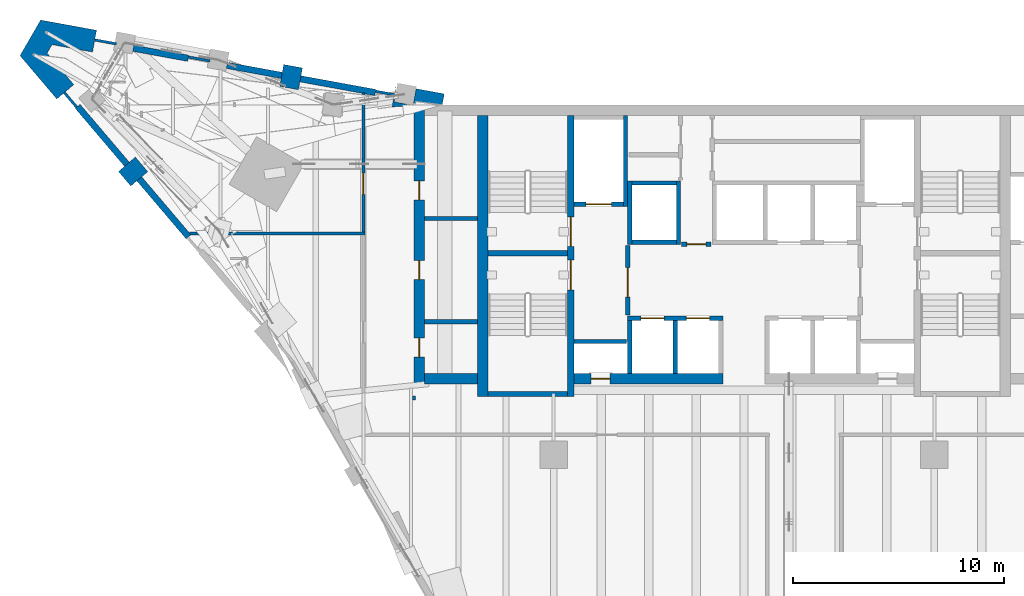
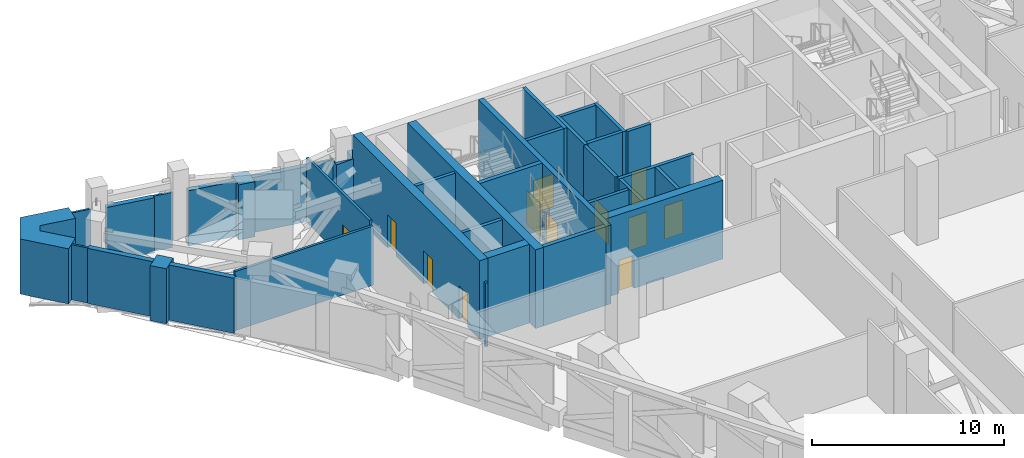
# One storey, part 10 of 22: 37 walls, 12 doors, 12 openings.
"""IFC4 building model written with IfcOpenShell, lengths in metres."""

import ifcopenshell
import ifcopenshell.guid

model = None  # the IFC model being written
_history = None  # IfcOwnerHistory: only IFC2X3 demands one
_inside = {}  # id of a spatial element -> (the spatial element, [elements in it])
_under = {}  # id of a project, library or spatial element -> (it, [spatial elements below it])
_declared = {}  # id of a project -> (the project, [libraries it declares])
_typed = {}  # id of a type object -> (the type object, [elements of that type])
_made_of = {}  # id of a material, layer set ... -> (it, [elements and type objects made of it])


def new_model(schema):
    """Start an empty IFC model of exactly this schema.

    Asked for "IFC4X3", IfcOpenShell would pick the latest addendum, in which some entities
    have other attributes; the version numbers below select the first issue.
    IFC2X3 requires an IfcOwnerHistory on every rooted entity: one is made here for all.
    """
    global model, _history
    if schema == "IFC4X3":
        model = ifcopenshell.file(schema_version=(4, 3, 0, 0))
    else:
        model = ifcopenshell.file(schema=schema)
    _inside.clear()
    _under.clear()
    _declared.clear()
    _typed.clear()
    _made_of.clear()
    _history = None
    if model.schema == "IFC2X3":
        org = make("IfcOrganization", Name="unknown")
        user = make(
            "IfcPersonAndOrganization",
            ThePerson=make("IfcPerson", FamilyName="unknown"),
            TheOrganization=org,
        )
        app = make(
            "IfcApplication",
            ApplicationDeveloper=org,
            Version="unknown",
            ApplicationFullName="unknown",
            ApplicationIdentifier="unknown",
        )
        _history = make(
            "IfcOwnerHistory",
            OwningUser=user,
            OwningApplication=app,
            ChangeAction="ADDED",
            CreationDate=0,
        )
    return model


def make(cls, **values):
    """One entity of the class cls with the attributes given. An attribute that is None is left unset."""
    return model.create_entity(
        cls, **{name: value for name, value in values.items() if value is not None}
    )


def rooted(cls, **values):
    """An entity with a GlobalId (a new one), such as an element, a storey or a relation."""
    return make(cls, GlobalId=ifcopenshell.guid.new(), OwnerHistory=_history, **values)


def si_unit(unit_type, name, prefix=None):
    """IfcSIUnit, for example si_unit("LENGTHUNIT", "METRE", prefix="MILLI")."""
    return make("IfcSIUnit", UnitType=unit_type, Prefix=prefix, Name=name)


def assignment(units):
    """IfcUnitAssignment: the units of a project."""
    return None if units is None else make("IfcUnitAssignment", Units=units)


def point(xyz):
    """IfcCartesianPoint."""
    return None if xyz is None else make("IfcCartesianPoint", Coordinates=xyz)


def direction(xyz):
    """IfcDirection."""
    return None if xyz is None else make("IfcDirection", DirectionRatios=xyz)


def frame(location, z_axis=None, x_axis=None):
    """IfcAxis2Placement3D, a coordinate frame: its origin and axes. An axis left out is left unset."""
    return make(
        "IfcAxis2Placement3D",
        Location=point(location),
        Axis=direction(z_axis),
        RefDirection=direction(x_axis),
    )


def frame_2d(location, x_axis=None):
    """IfcAxis2Placement2D, a coordinate frame in the plane: its origin and x axis."""
    return make(
        "IfcAxis2Placement2D", Location=point(location), RefDirection=direction(x_axis)
    )


def origin():
    """The frame at (0, 0, 0) with its axes left unset."""
    return frame((0.0, 0.0, 0.0))


def place(relative_to, where):
    """IfcLocalPlacement: puts the frame where relative to a parent placement (None: the world)."""
    return make(
        "IfcLocalPlacement", PlacementRelTo=relative_to, RelativePlacement=where
    )


def context(
    kind, dimensions, precision=None, world=None, true_north=None, identifier=None
):
    """IfcGeometricRepresentationContext, for example the 3D "Model" context."""
    return make(
        "IfcGeometricRepresentationContext",
        ContextIdentifier=identifier,
        ContextType=kind,
        CoordinateSpaceDimension=dimensions,
        Precision=precision,
        WorldCoordinateSystem=world,
        TrueNorth=true_north,
    )


def subcontext(parent, identifier, kind, view, scale=None):
    """IfcGeometricRepresentationSubContext, for example "Body" below "Model"."""
    return make(
        "IfcGeometricRepresentationSubContext",
        ContextIdentifier=identifier,
        ContextType=kind,
        ParentContext=parent,
        TargetScale=scale,
        TargetView=view,
    )


def project(units=None, contexts=None):
    """IfcProject with its units and contexts."""
    return rooted(
        "IfcProject",
        Name="project",
        RepresentationContexts=contexts,
        UnitsInContext=assignment(units),
    )


def spatial(cls, under=None, at=None, **own):
    """A site, building, storey or space (cls), placed at a placement, below another one or the project."""
    s = rooted(cls, ObjectPlacement=at, **own)
    if under is not None:
        _under.setdefault(under.id(), (under, []))[1].append(s)
    return s


def polyline(points):
    """IfcPolyline through the points."""
    return make("IfcPolyline", Points=[point(p) for p in points])


def profile(cls, at=None, kind="AREA", **sizes):
    """A parametric profile (cls). Its sizes go by their IFC names, for example OverallWidth=200.0."""
    return make(cls, ProfileType=kind, Position=at, **sizes)


def rectangle(**sizes):
    """IfcRectangleProfileDef."""
    return profile("IfcRectangleProfileDef", **sizes)


def outline(outer, holes=None, kind="AREA"):
    """IfcArbitraryClosedProfileDef: a profile drawn as a closed curve; with holes, ...WithVoids."""
    if holes is None:
        return make("IfcArbitraryClosedProfileDef", ProfileType=kind, OuterCurve=outer)
    return make(
        "IfcArbitraryProfileDefWithVoids",
        ProfileType=kind,
        OuterCurve=outer,
        InnerCurves=holes,
    )


def extrude(swept, where, along, depth):
    """IfcExtrudedAreaSolid: the profile swept, set in the frame where, extruded along a direction by depth."""
    return make(
        "IfcExtrudedAreaSolid",
        SweptArea=swept,
        Position=where,
        ExtrudedDirection=direction(along),
        Depth=depth,
    )


def shape(context_of_items, identifier, shape_type, items):
    """IfcShapeRepresentation: the items that make up one representation, for example the "Body"."""
    return make(
        "IfcShapeRepresentation",
        ContextOfItems=context_of_items,
        RepresentationIdentifier=identifier,
        RepresentationType=shape_type,
        Items=items,
    )


def material(Name=None, Category=None):
    """IfcMaterial."""
    return make("IfcMaterial", Name=Name, Category=Category)


def layer(
    of_material, thickness, ventilated=None, Name=None, Category=None, Priority=None
):
    """IfcMaterialLayer: one layer of a wall or slab, of a material (None: an air gap)."""
    return make(
        "IfcMaterialLayer",
        Material=of_material,
        LayerThickness=thickness,
        IsVentilated=ventilated,
        Name=Name,
        Category=Category,
        Priority=Priority,
    )


def layer_set(layers, Name=None):
    """IfcMaterialLayerSet."""
    return make("IfcMaterialLayerSet", MaterialLayers=layers, LayerSetName=Name)


def made_of(thing, what):
    """Note that an element or type object is made of a material, layer set ...; save() writes the relation."""
    if what is not None:
        _made_of.setdefault(what.id(), (what, []))[1].append(thing)
    return thing


def type_object(cls, material=None, **own):
    """A type object (cls), such as IfcWallType, which elements share."""
    return made_of(rooted(cls, **own), material)


def element(
    cls,
    number,
    at=None,
    inside=None,
    cuts=None,
    type_object=None,
    material=None,
    context=None,
    identifier="Body",
    shape_type=None,
    held_by="IfcProductDefinitionShape",
    body=None,
    shapes=None,
    **own,
):
    """One element of the class cls, such as IfcWall. Its Tag is "e" and its number.

    at: its placement. inside: the storey or other place that contains it. cuts: it is an
    opening in that element (IfcRelVoidsElement). A single representation is given by context,
    identifier, shape_type and body (its items); several are given by shapes. held_by: the class
    of the entity that holds the representations. save() writes the other relations.
    """
    e = rooted(cls, Tag="e%d" % number, ObjectPlacement=at, **own)
    if body is not None:
        shapes = [shape(context, identifier, shape_type, body)]
    if shapes is not None:
        e.Representation = make(held_by, Representations=shapes)
    if inside is not None:
        _inside.setdefault(inside.id(), (inside, []))[1].append(e)
    if cuts is not None:
        rooted(
            "IfcRelVoidsElement", RelatingBuildingElement=cuts, RelatedOpeningElement=e
        )
    if type_object is not None:
        _typed.setdefault(type_object.id(), (type_object, []))[1].append(e)
    return made_of(e, material)


def fill(opening, filler):
    """IfcRelFillsElement: the door or window that sits in an opening."""
    return rooted(
        "IfcRelFillsElement",
        RelatingOpeningElement=opening,
        RelatedBuildingElement=filler,
    )


def aggregate(whole, parts):
    """IfcRelAggregates: a whole, such as a stair, and the parts it consists of."""
    return rooted("IfcRelAggregates", RelatingObject=whole, RelatedObjects=parts)


def save(model, path):
    """Write the relations noted so far, then the file.

    IfcRelAggregates (storeys below a building ...), IfcRelContainedInSpatialStructure (elements
    in a storey), IfcRelDefinesByType, IfcRelAssociatesMaterial and IfcRelDeclares: one each for
    every whole, place, type object, material and project.
    """
    for whole, parts in _under.values():
        aggregate(whole, parts)
    for where, things in _inside.values():
        rooted(
            "IfcRelContainedInSpatialStructure",
            RelatedElements=things,
            RelatingStructure=where,
        )
    for kind, things in _typed.values():
        rooted("IfcRelDefinesByType", RelatedObjects=things, RelatingType=kind)
    for what, things in _made_of.values():
        rooted("IfcRelAssociatesMaterial", RelatedObjects=things, RelatingMaterial=what)
    for by, libraries in _declared.values():
        rooted("IfcRelDeclares", RelatingContext=by, RelatedDefinitions=libraries)
    model.write(path)


model = new_model("IFC4")

# Units and contexts
model_context = context("Model", 3, precision=1e-05, world=origin(), true_north=direction((0.0, 1.0)))
body_context = subcontext(model_context, "Body", "Model", "MODEL_VIEW")
ifc_project = project(units=[si_unit("LENGTHUNIT", "METRE"), si_unit("AREAUNIT", "SQUARE_METRE"), si_unit("VOLUMEUNIT", "CUBIC_METRE"), si_unit("PLANEANGLEUNIT", "RADIAN"), si_unit("MASSUNIT", "GRAM", prefix="KILO")], contexts=[model_context])

# Site, building, storey
site_placement = place(None, origin())
site = spatial("IfcSite", under=ifc_project, at=site_placement, CompositionType="ELEMENT")
building_placement = place(site_placement, origin())
building = spatial("IfcBuilding", under=site, at=building_placement, Name="Calabash Gate Tower", CompositionType="ELEMENT")
storey_placement = place(building_placement, frame((0.0, 0.0, 191.39990234375)))
storey = spatial("IfcBuildingStorey", under=building, at=storey_placement, Name="L45", CompositionType="ELEMENT", Elevation=191.39990234375)

# Walls
ifc_material_1 = material(Name="Terracotta brick masonry, exposed face", Category="masonry")
ifc_layer_1 = layer(ifc_material_1, 1.050048828125)
ifc_layer_set_1 = layer_set([ifc_layer_1], Name="Brick end wall 1050")
wall_type_1 = type_object("IfcWallType", Name="Brick end wall 1050", PredefinedType="SOLIDWALL", material=ifc_layer_set_1)
wall_1_placement = place(storey_placement, frame((-21.51123046875, 19.84423828125, 0.0), z_axis=(0.0, 0.0, 1.0), x_axis=(0.179990382599, 0.983668370017, 0.0)))
element("IfcWall", 1, at=wall_1_placement, inside=storey, type_object=wall_type_1, Name="Brick pier L45 wedge7.1", PredefinedType="SOLIDWALL", context=body_context, shape_type="SweptSolid", body=[
    extrude(rectangle(XDim=1.0498046875, YDim=0.89990234375, at=frame_2d((0.52490234375, 0.0))), origin(), (0.0, 0.0, 1.0), 3.5),
])
wall_2_placement = place(storey_placement, frame((-28.48974609375, 16.23388671875, 0.0), z_axis=(0.0, 0.0, 1.0), x_axis=(-0.761990950504, -0.647587670783, 0.0)))
element("IfcWall", 2, at=wall_2_placement, inside=storey, type_object=wall_type_1, Name="Brick pier L45 wedge9.1", PredefinedType="SOLIDWALL", context=body_context, shape_type="SweptSolid", body=[
    extrude(rectangle(XDim=1.050048828125, YDim=0.89990234375, at=frame_2d((0.52490234375, 0.0))), origin(), (0.0, 0.0, 1.0), 3.5),
])
wall_3_placement = place(storey_placement, origin())
element("IfcWall", 3, at=wall_3_placement, inside=storey, type_object=wall_type_1, Name="Brick end wall L45 5", PredefinedType="SOLIDWALL", context=body_context, shape_type="SweptSolid", body=[
    extrude(outline(polyline([(-16.64208984375, 18.953369140625), (-16.453125, 19.986083984375), (-16.53662109375, 19.189453125), (-15.6513671875, 19.02734375), (-15.507568359375, 19.813232421875), (-14.17333984375, 19.569091796875), (-14.267578125, 19.0537109375), (-15.60009765625, 19.0537109375), (-15.60009765625, 19.0537109375), (-15.60009765625, 19.053466796875), (-15.600341796875, 19.053466796875), (-15.600341796875, 19.053466796875), (-15.6005859375, 19.053466796875), (-15.6005859375, 19.053466796875), (-15.6005859375, 19.053466796875), (-15.6005859375, 19.05322265625), (-15.600830078125, 19.05322265625), (-15.600830078125, 19.05322265625), (-15.600830078125, 19.052978515625), (-15.600830078125, 19.052978515625), (-15.60107421875, 19.052978515625), (-15.60107421875, 19.052734375), (-15.60107421875, 19.052734375), (-15.60107421875, 19.052490234375), (-15.60107421875, 18.996826171875), (-16.64208984375, 18.953369140625)])), origin(), (0.0, 0.0, 1.0), 3.5),
])
wall_4_placement = place(storey_placement, origin())
element("IfcWall", 4, at=wall_4_placement, inside=storey, type_object=wall_type_1, Name="Brick end wall L45 6", PredefinedType="SOLIDWALL", context=body_context, shape_type="SweptSolid", body=[
    extrude(outline(polyline([(-30.806884765625, 21.544921875), (-30.617919921875, 22.577880859375), (-33.261962890625, 23.0615234375), (-34.23681640625, 21.373046875), (-32.495849609375, 19.3251953125), (-31.69580078125, 20.00537109375), (-32.957275390625, 21.4892578125), (-32.72265625, 21.8955078125), (-30.806884765625, 21.544921875)])), origin(), (0.0, 0.0, 1.0), 3.5),
])
ifc_material_2 = material(Name="Gypsum board on steel studs, mineral wool", Category="steel")
ifc_layer_2 = layer(ifc_material_2, 0.199951171875)
ifc_layer_set_2 = layer_set([ifc_layer_2], Name="Core partition 200 gypsum board")
wall_type_2 = type_object("IfcWallType", Name="Core partition 200 gypsum board", PredefinedType="PARTITIONING", material=ifc_layer_set_2)
for number, where, z_axis, x_axis, name in (
    (5, (-15.10009765625, 8.79248046875, 0.0), (0.0, 0.0, 1.0), (1.0, 0.0, 0.0), "Core partition"),
    (6, (-15.10009765625, 13.672607421875, 0.0), (0.0, 0.0, 1.0), (1.0, 0.0, 0.0), "Core partition"),
):
    element("IfcWall", number, at=place(storey_placement, frame(where, z_axis=z_axis, x_axis=x_axis)), inside=storey, type_object=wall_type_2, Name=name, PredefinedType="PARTITIONING", context=body_context, shape_type="SweptSolid", body=[
        extrude(rectangle(XDim=2.5, YDim=0.199951171875, at=frame_2d((1.25, 0.0))), origin(), (0.0, 0.0, 1.0), 4.830078125),
    ])
ifc_material_3 = material(Name="Concrete C70/85", Category="concrete")
ifc_layer_3 = layer(ifc_material_3, 0.25)
ifc_layer_set_3 = layer_set([ifc_layer_3], Name="Core wall 250 Concrete C70/85")
wall_type_3 = type_object("IfcWallType", Name="Core wall 250 Concrete C70/85", PredefinedType="SHEAR", material=ifc_layer_set_3)
for number, where, z_axis, x_axis, name in (
    (7, (-12.10009765625, 12.027587890625, 0.0), (0.0, 0.0, 1.0), (1.0, 0.0, 0.0), "Core wall Z3-MIDW L45"),
    (8, (-12.10009765625, 5.377685546875, 0.0), (0.0, 0.0, 1.0), (1.0, 0.0, 0.0), "Core wall Z3-SSW L45"),
):
    element("IfcWall", number, at=place(storey_placement, frame(where, z_axis=z_axis, x_axis=x_axis)), inside=storey, type_object=wall_type_3, Name=name, PredefinedType="SHEAR", context=body_context, shape_type="SweptSolid", body=[
        extrude(rectangle(XDim=3.75, YDim=0.25, at=frame_2d((1.875, 0.0))), origin(), (0.0, 0.0, 1.0), 5.0),
    ])

# Wall, openings, doors
ifc_material_4 = material(Name="Concrete C70/85", Category="concrete")
ifc_layer_4 = layer(ifc_material_4, 0.300048828125)
ifc_layer_set_4 = layer_set([ifc_layer_4], Name="Core wall 300 Concrete C70/85")
wall_type_4 = type_object("IfcWallType", Name="Core wall 300 Concrete C70/85", PredefinedType="SHEAR", material=ifc_layer_set_4)
wall_5_placement = place(storey_placement, frame((-8.199951171875, 5.252685546875, 0.0), z_axis=(0.0, 0.0, 1.0), x_axis=(0.0, 1.0, 0.0)))
wall_5 = element("IfcWall", 9, at=wall_5_placement, inside=storey, type_object=wall_type_4, Name="Core wall Z3-PARTW L45", PredefinedType="SHEAR", context=body_context, shape_type="SweptSolid", body=[
    extrude(rectangle(XDim=13.2998046875, YDim=0.300048828125, at=frame_2d((6.64990234375, 0.0))), origin(), (0.0, 0.0, 1.0), 5.0),
])
opening_1_placement = place(wall_5_placement, frame((7.10009765625, 0.0, 0.0)))
opening_1 = element("IfcOpeningElement", 10, at=opening_1_placement, cuts=wall_5, Name="Opening L45-001", PredefinedType="OPENING", context=body_context, shape_type="SweptSolid", body=[
    extrude(rectangle(XDim=1.39990234375, YDim=2.10009765625, at=frame_2d((0.699951171875, 1.050048828125))), frame((0.0, 0.159912109375, 0.0), z_axis=(0.0, -1.0, 0.0), x_axis=(1.0, 0.0, 0.0)), (0.0, 0.0, 1.0), 0.320068359375),
])
opening_2_placement = place(wall_5_placement, frame((5.050048828125, 0.0, 0.0)))
opening_2 = element("IfcOpeningElement", 11, at=opening_2_placement, cuts=wall_5, Name="Opening L45-002", PredefinedType="OPENING", context=body_context, shape_type="SweptSolid", body=[
    extrude(rectangle(XDim=1.39990234375, YDim=2.10009765625, at=frame_2d((0.699951171875, 1.050048828125))), frame((0.0, 0.159912109375, 0.0), z_axis=(0.0, -1.0, 0.0), x_axis=(1.0, 0.0, 0.0)), (0.0, 0.0, 1.0), 0.320068359375),
])
ifc_material_5 = material(Name="Steel fire door set with fire-resisting glazing", Category="steel")
door_type_1 = type_object("IfcDoorType", Name="Fire door D05 1400x2100 FD90", OperationType="NOTDEFINED", PredefinedType="DOOR", material=ifc_material_5)
door_1_placement = place(opening_1_placement, origin())
door_1 = element("IfcDoor", 12, at=door_1_placement, inside=storey, type_object=door_type_1, Name="Exit stair door ST1", OperationType="SINGLE_SWING_LEFT", OverallHeight=2.10009765625, OverallWidth=1.39990234375, PredefinedType="DOOR", context=body_context, shape_type="SweptSolid", body=[
    extrude(rectangle(XDim=1.39990234375, YDim=2.10009765625, at=frame_2d((0.699951171875, 1.050048828125))), frame((0.0, 0.02490234375, 0.0), z_axis=(0.0, -1.0, 0.0), x_axis=(1.0, 0.0, 0.0)), (0.0, 0.0, 1.0), 0.050048828125),
])
fill(opening_1, door_1)
door_2_placement = place(opening_2_placement, origin())
door_2 = element("IfcDoor", 13, at=door_2_placement, inside=storey, type_object=door_type_1, Name="Exit stair door ST2", OperationType="SINGLE_SWING_LEFT", OverallHeight=2.10009765625, OverallWidth=1.39990234375, PredefinedType="DOOR", context=body_context, shape_type="SweptSolid", body=[
    extrude(rectangle(XDim=1.39990234375, YDim=2.10009765625, at=frame_2d((0.699951171875, 1.050048828125))), frame((0.0, 0.02490234375, 0.0), z_axis=(0.0, -1.0, 0.0), x_axis=(1.0, 0.0, 0.0)), (0.0, 0.0, 1.0), 0.050048828125),
])
fill(opening_2, door_2)

# Wall
ifc_material_6 = material(Name="Concrete C70/85", Category="concrete")
ifc_layer_5 = layer(ifc_material_6, 0.5)
ifc_layer_set_5 = layer_set([ifc_layer_5], Name="Core wall 500 Concrete C70/85")
wall_type_5 = type_object("IfcWallType", Name="Core wall 500 Concrete C70/85", PredefinedType="SHEAR", material=ifc_layer_set_5)
wall_6_placement = place(storey_placement, frame((-12.35009765625, 5.252685546875, 0.0), z_axis=(0.0, 0.0, 1.0), x_axis=(0.0, 1.0, 0.0)))
element("IfcWall", 14, at=wall_6_placement, inside=storey, type_object=wall_type_5, Name="Core wall Z3-COLW L45", PredefinedType="SHEAR", context=body_context, shape_type="SweptSolid", body=[
    extrude(rectangle(XDim=13.2998046875, YDim=0.5, at=frame_2d((6.64990234375, 0.0))), origin(), (0.0, 0.0, 1.0), 5.0),
])

# Wall, opening, door
wall_7_placement = place(storey_placement, frame((-8.050048828125, 6.1025390625, 0.0), z_axis=(0.0, 0.0, 1.0), x_axis=(1.0, 0.0, 0.0)))
wall_7 = element("IfcWall", 15, at=wall_7_placement, inside=storey, type_object=wall_type_5, Name="Core wall Z3-SA L45", PredefinedType="SHEAR", context=body_context, shape_type="SweptSolid", body=[
    extrude(rectangle(XDim=7.050048828125, YDim=0.5, at=frame_2d((3.52490234375, 0.0))), origin(), (0.0, 0.0, 1.0), 5.0),
])
opening_3_placement = place(wall_7_placement, frame((0.824951171875, 0.0, 0.0)))
opening_3 = element("IfcOpeningElement", 16, at=opening_3_placement, cuts=wall_7, Name="Opening L45-012", PredefinedType="OPENING", context=body_context, shape_type="SweptSolid", body=[
    extrude(rectangle(XDim=0.89990234375, YDim=2.10009765625, at=frame_2d((0.449951171875, 1.050048828125))), frame((0.0, 0.260009765625, 0.0), z_axis=(0.0, -1.0, 0.0), x_axis=(1.0, 0.0, 0.0)), (0.0, 0.0, 1.0), 0.52001953125),
])
ifc_material_7 = material(Name="Steel fire door set with fire-resisting glazing", Category="steel")
door_type_2 = type_object("IfcDoorType", Name="Fire door D07 900x2100 FD90", OperationType="NOTDEFINED", PredefinedType="DOOR", material=ifc_material_7)
door_3_placement = place(opening_3_placement, origin())
door_3 = element("IfcDoor", 17, at=door_3_placement, inside=storey, type_object=door_type_2, Name="Electrical Riser W door", OperationType="SINGLE_SWING_LEFT", OverallHeight=2.10009765625, OverallWidth=0.89990234375, PredefinedType="DOOR", context=body_context, shape_type="SweptSolid", body=[
    extrude(rectangle(XDim=0.89990234375, YDim=2.10009765625, at=frame_2d((0.449951171875, 1.050048828125))), frame((0.0, 0.02490234375, 0.0), z_axis=(0.0, -1.0, 0.0), x_axis=(1.0, 0.0, 0.0)), (0.0, 0.0, 1.0), 0.050048828125),
])
fill(opening_3, door_3)

# Wall
wall_8_placement = place(storey_placement, frame((-12.60009765625, 6.1025390625, 0.0), z_axis=(0.0, 0.0, 1.0), x_axis=(-1.0, 0.0, 0.0)))
element("IfcWall", 18, at=wall_8_placement, inside=storey, type_object=wall_type_5, Name="Core wall Z3-SW L45", PredefinedType="SHEAR", context=body_context, shape_type="SweptSolid", body=[
    extrude(rectangle(XDim=2.5, YDim=0.5, at=frame_2d((1.25, 0.0))), origin(), (0.0, 0.0, 1.0), 5.0),
])

# Wall, openings, doors
wall_9_placement = place(storey_placement, frame((-15.35009765625, 5.8525390625, 0.0), z_axis=(0.0, 0.0, 1.0), x_axis=(0.0, 1.0, 0.0)))
wall_9 = element("IfcWall", 19, at=wall_9_placement, inside=storey, type_object=wall_type_5, Name="Core wall Z3-ENDW L45", PredefinedType="SHEAR", context=body_context, shape_type="SweptSolid", body=[
    extrude(rectangle(XDim=13.199951171875, YDim=0.5, at=frame_2d((6.60009765625, 0.0))), origin(), (0.0, 0.0, 1.0), 5.0),
])
opening_4_placement = place(wall_9_placement, frame((1.27001953125, 0.0, 0.0)))
opening_4 = element("IfcOpeningElement", 20, at=opening_4_placement, cuts=wall_9, Name="Opening L45-014", PredefinedType="OPENING", context=body_context, shape_type="SweptSolid", body=[
    extrude(rectangle(XDim=0.89990234375, YDim=2.10009765625, at=frame_2d((0.449951171875, 1.050048828125))), frame((0.0, 0.260009765625, 0.0), z_axis=(0.0, -1.0, 0.0), x_axis=(1.0, 0.0, 0.0)), (0.0, 0.0, 1.0), 0.52001953125),
])
opening_5_placement = place(wall_9_placement, frame((4.929931640625, 0.0, 0.0)))
opening_5 = element("IfcOpeningElement", 21, at=opening_5_placement, cuts=wall_9, Name="Opening L45-015", PredefinedType="OPENING", context=body_context, shape_type="SweptSolid", body=[
    extrude(rectangle(XDim=0.89990234375, YDim=2.10009765625, at=frame_2d((0.449951171875, 1.050048828125))), frame((0.0, 0.260009765625, 0.0), z_axis=(0.0, -1.0, 0.0), x_axis=(1.0, 0.0, 0.0)), (0.0, 0.0, 1.0), 0.52001953125),
])
opening_6_placement = place(wall_9_placement, frame((8.697509765625, 0.0, 0.0)))
opening_6 = element("IfcOpeningElement", 22, at=opening_6_placement, cuts=wall_9, Name="Opening L45-016", PredefinedType="OPENING", context=body_context, shape_type="SweptSolid", body=[
    extrude(rectangle(XDim=0.89990234375, YDim=2.10009765625, at=frame_2d((0.449951171875, 1.050048828125))), frame((0.0, 0.260009765625, 0.0), z_axis=(0.0, -1.0, 0.0), x_axis=(1.0, 0.0, 0.0)), (0.0, 0.0, 1.0), 0.52001953125),
])
ifc_material_8 = material(Name="Steel fire door set with fire-resisting glazing", Category="steel")
door_type_3 = type_object("IfcDoorType", Name="Fire door D06 900x2100 FD60", OperationType="NOTDEFINED", PredefinedType="DOOR", material=ifc_material_8)
door_4_placement = place(opening_4_placement, origin())
door_4 = element("IfcDoor", 23, at=door_4_placement, inside=storey, type_object=door_type_3, Name="Mechanical Pump Room door", OperationType="SINGLE_SWING_LEFT", OverallHeight=2.10009765625, OverallWidth=0.89990234375, PredefinedType="DOOR", context=body_context, shape_type="SweptSolid", body=[
    extrude(rectangle(XDim=0.89990234375, YDim=2.10009765625, at=frame_2d((0.449951171875, 1.050048828125))), frame((0.0, 0.02490234375, 0.0), z_axis=(0.0, -1.0, 0.0), x_axis=(1.0, 0.0, 0.0)), (0.0, 0.0, 1.0), 0.050048828125),
])
fill(opening_4, door_4)
door_5_placement = place(opening_5_placement, origin())
door_5 = element("IfcDoor", 24, at=door_5_placement, inside=storey, type_object=door_type_3, Name="Heat Exchanger Plant Room door", OperationType="SINGLE_SWING_LEFT", OverallHeight=2.10009765625, OverallWidth=0.89990234375, PredefinedType="DOOR", context=body_context, shape_type="SweptSolid", body=[
    extrude(rectangle(XDim=0.89990234375, YDim=2.10009765625, at=frame_2d((0.449951171875, 1.050048828125))), frame((0.0, 0.02490234375, 0.0), z_axis=(0.0, -1.0, 0.0), x_axis=(1.0, 0.0, 0.0)), (0.0, 0.0, 1.0), 0.050048828125),
])
fill(opening_5, door_5)
door_6_placement = place(opening_6_placement, origin())
door_6 = element("IfcDoor", 25, at=door_6_placement, inside=storey, type_object=door_type_3, Name="Mechanical Fan Room door", OperationType="SINGLE_SWING_LEFT", OverallHeight=2.10009765625, OverallWidth=0.89990234375, PredefinedType="DOOR", context=body_context, shape_type="SweptSolid", body=[
    extrude(rectangle(XDim=0.89990234375, YDim=2.10009765625, at=frame_2d((0.449951171875, 1.050048828125))), frame((0.0, 0.02490234375, 0.0), z_axis=(0.0, -1.0, 0.0), x_axis=(1.0, 0.0, 0.0)), (0.0, 0.0, 1.0), 0.050048828125),
])
fill(opening_6, door_6)

# Walls
ifc_material_9 = material(Name="Gypsum board on steel studs, mineral wool", Category="steel")
ifc_layer_6 = layer(ifc_material_9, 0.14990234375)
ifc_layer_set_6 = layer_set([ifc_layer_6], Name="Partition 150 gypsum board")
wall_type_6 = type_object("IfcWallType", Name="Partition 150 gypsum board", PredefinedType="PARTITIONING", material=ifc_layer_set_6)
wall_10_placement = place(storey_placement, frame((-15.60009765625, 5.09765625, 0.0), z_axis=(0.0, 0.0, 1.0), x_axis=(0.0, 1.0, 0.0)))
element("IfcWall", 26, at=wall_10_placement, inside=storey, type_object=wall_type_6, Name="Partition", PredefinedType="PARTITIONING", context=body_context, shape_type="SweptSolid", body=[
    extrude(rectangle(XDim=0.179931640625, YDim=0.14990234375, at=frame_2d((0.08984375, 0.0))), origin(), (0.0, 0.0, 1.0), 4.05029296875),
])
wall_11_placement = place(storey_placement, frame((-26.223388671875, 12.965576171875, 0.0), z_axis=(0.0, 0.0, 1.0), x_axis=(1.0, 0.0, 0.0)))
element("IfcWall", 27, at=wall_11_placement, inside=storey, type_object=wall_type_6, Name="Partition", PredefinedType="PARTITIONING", context=body_context, shape_type="SweptSolid", body=[
    extrude(rectangle(XDim=8.29833984375, YDim=0.14990234375, at=frame_2d((4.149169921875, 0.0))), origin(), (0.0, 0.0, 1.0), 3.752197265625),
])

# Wall, opening, door
wall_12_placement = place(storey_placement, frame((-18.0, 13.04052734375, 0.0), z_axis=(0.0, 0.0, 1.0), x_axis=(0.0, 1.0, 0.0)))
wall_12 = element("IfcWall", 28, at=wall_12_placement, inside=storey, type_object=wall_type_6, Name="Partition", PredefinedType="PARTITIONING", context=body_context, shape_type="SweptSolid", body=[
    extrude(rectangle(XDim=6.5625, YDim=0.14990234375, at=frame_2d((3.28125, 0.0))), origin(), (0.0, 0.0, 1.0), 4.07373046875),
])
opening_7_placement = place(wall_12_placement, frame((1.77490234375, 0.0, 0.0)))
opening_7 = element("IfcOpeningElement", 29, at=opening_7_placement, cuts=wall_12, Name="Opening L45-020", PredefinedType="OPENING", context=body_context, shape_type="SweptSolid", body=[
    extrude(rectangle(XDim=1.0, YDim=2.10009765625, at=frame_2d((0.5, 1.050048828125))), frame((0.0, 0.0849609375, 0.0), z_axis=(0.0, -1.0, 0.0), x_axis=(1.0, 0.0, 0.0)), (0.0, 0.0, 1.0), 0.169921875),
])
ifc_material_10 = material(Name="Steel fire door set with fire-resisting glazing", Category="steel")
door_type_4 = type_object("IfcDoorType", Name="Fire door D11 1000x2100 FD60", OperationType="NOTDEFINED", PredefinedType="DOOR", material=ifc_material_10)
door_7_placement = place(opening_7_placement, origin())
door_7 = element("IfcDoor", 30, at=door_7_placement, inside=storey, type_object=door_type_4, Name="Chiller Plant Room door", OperationType="SINGLE_SWING_LEFT", OverallHeight=2.10009765625, OverallWidth=1.0, PredefinedType="DOOR", context=body_context, shape_type="SweptSolid", body=[
    extrude(rectangle(XDim=1.0, YDim=2.10009765625, at=frame_2d((0.5, 1.050048828125))), frame((0.0, 0.02490234375, 0.0), z_axis=(0.0, -1.0, 0.0), x_axis=(1.0, 0.0, 0.0)), (0.0, 0.0, 1.0), 0.050048828125),
])
fill(opening_7, door_7)

# Walls
ifc_material_11 = material(Name="Concrete C40/50", Category="concrete")
ifc_layer_7 = layer(ifc_material_11, 0.199951171875)
ifc_layer_set_7 = layer_set([ifc_layer_7], Name="Shaft wall 200 Concrete C40/50")
wall_type_7 = type_object("IfcWallType", Name="Shaft wall 200 Concrete C40/50", PredefinedType="SOLIDWALL", material=ifc_layer_set_7)
for number, where, z_axis, x_axis, name in (
    (31, (-5.39990234375, 6.3525390625, 0.0), (0.0, 0.0, 1.0), (0.0, 1.0, 0.0), "Shaft wall"),
    (32, (-3.25, 6.3525390625, 0.0), (0.0, 0.0, 1.0), (0.0, 1.0, 0.0), "Shaft wall"),
    (33, (-8.050048828125, 7.8525390625, 0.0), (0.0, 0.0, 1.0), (1.0, 0.0, 0.0), "Shaft wall"),
):
    element("IfcWall", number, at=place(storey_placement, frame(where, z_axis=z_axis, x_axis=x_axis)), inside=storey, type_object=wall_type_7, Name=name, PredefinedType="SOLIDWALL", context=body_context, shape_type="SweptSolid", body=[
        extrude(rectangle(XDim=2.5, YDim=0.199951171875, at=frame_2d((1.25, 0.0))), origin(), (0.0, 0.0, 1.0), 4.830078125),
    ])

# Wall, openings, doors
wall_13_placement = place(storey_placement, frame((-5.5, 8.95263671875, 0.0), z_axis=(0.0, 0.0, 1.0), x_axis=(1.0, 0.0, 0.0)))
wall_13 = element("IfcWall", 34, at=wall_13_placement, inside=storey, type_object=wall_type_7, Name="Shaft wall", PredefinedType="SOLIDWALL", context=body_context, shape_type="SweptSolid", body=[
    extrude(rectangle(XDim=4.5, YDim=0.199951171875, at=frame_2d((2.25, 0.0))), origin(), (0.0, 0.0, 1.0), 4.830078125),
])
opening_8_placement = place(wall_13_placement, frame((0.625, 0.0, 0.0)))
opening_8 = element("IfcOpeningElement", 35, at=opening_8_placement, cuts=wall_13, Name="Opening LD-HR1", PredefinedType="OPENING", context=body_context, shape_type="SweptSolid", body=[
    extrude(rectangle(XDim=1.10009765625, YDim=2.10009765625, at=frame_2d((0.550048828125, 1.050048828125))), frame((0.0, 0.10986328125, 0.0), z_axis=(0.0, -1.0, 0.0), x_axis=(1.0, 0.0, 0.0)), (0.0, 0.0, 1.0), 0.219970703125),
])
opening_9_placement = place(wall_13_placement, frame((2.77490234375, 0.0, 0.0)))
opening_9 = element("IfcOpeningElement", 36, at=opening_9_placement, cuts=wall_13, Name="Opening LD-HR2", PredefinedType="OPENING", context=body_context, shape_type="SweptSolid", body=[
    extrude(rectangle(XDim=1.10009765625, YDim=2.10009765625, at=frame_2d((0.550048828125, 1.050048828125))), frame((0.0, 0.10986328125, 0.0), z_axis=(0.0, -1.0, 0.0), x_axis=(1.0, 0.0, 0.0)), (0.0, 0.0, 1.0), 0.219970703125),
])
ifc_material_12 = material(Name="Stainless steel sliding door leaves", Category="steel")
door_type_5 = type_object("IfcDoorType", Name="Lift landing door LS1 1100x2100 FD90", OperationType="DOUBLE_DOOR_SLIDING", PredefinedType="DOOR", material=ifc_material_12)
door_8_placement = place(opening_8_placement, origin())
door_8 = element("IfcDoor", 37, at=door_8_placement, inside=storey, type_object=door_type_5, Name="Lift landing door HR1", OperationType="DOUBLE_DOOR_SLIDING", OverallHeight=2.10009765625, OverallWidth=1.10009765625, PredefinedType="DOOR", context=body_context, shape_type="SweptSolid", body=[
    extrude(rectangle(XDim=1.10009765625, YDim=2.10009765625, at=frame_2d((0.550048828125, 1.050048828125))), frame((0.0, 0.02490234375, 0.0), z_axis=(0.0, -1.0, 0.0), x_axis=(1.0, 0.0, 0.0)), (0.0, 0.0, 1.0), 0.050048828125),
])
fill(opening_8, door_8)
door_9_placement = place(opening_9_placement, origin())
door_9 = element("IfcDoor", 38, at=door_9_placement, inside=storey, type_object=door_type_5, Name="Lift landing door HR2", OperationType="DOUBLE_DOOR_SLIDING", OverallHeight=2.10009765625, OverallWidth=1.10009765625, PredefinedType="DOOR", context=body_context, shape_type="SweptSolid", body=[
    extrude(rectangle(XDim=1.10009765625, YDim=2.10009765625, at=frame_2d((0.550048828125, 1.050048828125))), frame((0.0, 0.02490234375, 0.0), z_axis=(0.0, -1.0, 0.0), x_axis=(1.0, 0.0, 0.0)), (0.0, 0.0, 1.0), 0.050048828125),
])
fill(opening_9, door_9)

# Wall, opening, door
wall_14_placement = place(storey_placement, frame((-5.5, 9.1025390625, 0.0), z_axis=(0.0, 0.0, 1.0), x_axis=(0.0, 1.0, 0.0)))
wall_14 = element("IfcWall", 39, at=wall_14_placement, inside=storey, type_object=wall_type_7, Name="Shaft wall", PredefinedType="SOLIDWALL", context=body_context, shape_type="SweptSolid", body=[
    extrude(rectangle(XDim=3.300048828125, YDim=0.199951171875, at=frame_2d((1.64990234375, 0.0))), origin(), (0.0, 0.0, 1.0), 4.830078125),
])
opening_10_placement = place(wall_14_placement, frame((0.85009765625, 0.0, 0.0)))
opening_10 = element("IfcOpeningElement", 40, at=opening_10_placement, cuts=wall_14, Name="Opening L45-006", PredefinedType="OPENING", context=body_context, shape_type="SweptSolid", body=[
    extrude(rectangle(XDim=1.39990234375, YDim=2.10009765625, at=frame_2d((0.699951171875, 1.050048828125))), frame((0.0, 0.10986328125, 0.0), z_axis=(0.0, -1.0, 0.0), x_axis=(1.0, 0.0, 0.0)), (0.0, 0.0, 1.0), 0.219970703125),
])
door_10_placement = place(opening_10_placement, origin())
door_10 = element("IfcDoor", 41, at=door_10_placement, inside=storey, type_object=door_type_1, Name="Firefighting Lobby W door", OperationType="SINGLE_SWING_RIGHT", OverallHeight=2.10009765625, OverallWidth=1.39990234375, PredefinedType="DOOR", context=body_context, shape_type="SweptSolid", body=[
    extrude(rectangle(XDim=1.39990234375, YDim=2.10009765625, at=frame_2d((0.699951171875, 1.050048828125))), frame((0.0, 0.02490234375, 0.0), z_axis=(0.0, -1.0, 0.0), x_axis=(1.0, 0.0, 0.0)), (0.0, 0.0, 1.0), 0.050048828125),
])
fill(opening_10, door_10)

wall_15_placement = place(storey_placement, frame((-2.949951171875, 12.45263671875, 0.0), z_axis=(0.0, 0.0, 1.0), x_axis=(1.0, 0.0, 0.0)))
wall_15 = element("IfcWall", 42, at=wall_15_placement, inside=storey, type_object=wall_type_7, Name="Shaft wall", PredefinedType="SOLIDWALL", context=body_context, shape_type="SweptSolid", body=[
    extrude(rectangle(XDim=1.39990234375, YDim=0.199951171875, at=frame_2d((0.699951171875, 0.0))), origin(), (0.0, 0.0, 1.0), 4.830078125),
])
opening_11_placement = place(wall_15_placement, frame((0.25, 0.0, 0.0)))
opening_11 = element("IfcOpeningElement", 43, at=opening_11_placement, cuts=wall_15, Name="Opening L45-005", PredefinedType="OPENING", context=body_context, shape_type="SweptSolid", body=[
    extrude(rectangle(XDim=0.89990234375, YDim=2.10009765625, at=frame_2d((0.449951171875, 1.050048828125))), frame((0.0, 0.10986328125, 0.0), z_axis=(0.0, -1.0, 0.0), x_axis=(1.0, 0.0, 0.0)), (0.0, 0.0, 1.0), 0.219970703125),
])
door_11_placement = place(opening_11_placement, origin())
door_11 = element("IfcDoor", 44, at=door_11_placement, inside=storey, type_object=door_type_3, Name="Service Corridor door", OperationType="SINGLE_SWING_RIGHT", OverallHeight=2.10009765625, OverallWidth=0.89990234375, PredefinedType="DOOR", context=body_context, shape_type="SweptSolid", body=[
    extrude(rectangle(XDim=0.89990234375, YDim=2.10009765625, at=frame_2d((0.449951171875, 1.050048828125))), frame((0.0, 0.02490234375, 0.0), z_axis=(0.0, -1.0, 0.0), x_axis=(1.0, 0.0, 0.0)), (0.0, 0.0, 1.0), 0.050048828125),
])
fill(opening_11, door_11)

# Walls
wall_16_placement = place(storey_placement, frame((-5.39990234375, 12.45263671875, 0.0), z_axis=(0.0, 0.0, 1.0), x_axis=(0.0, 1.0, 0.0)))
element("IfcWall", 45, at=wall_16_placement, inside=storey, type_object=wall_type_7, Name="Shaft wall", PredefinedType="SOLIDWALL", context=body_context, shape_type="SweptSolid", body=[
    extrude(rectangle(XDim=3.0, YDim=0.199951171875, at=frame_2d((1.5, 0.0))), origin(), (0.0, 0.0, 1.0), 4.830078125),
])
wall_17_placement = place(storey_placement, frame((-5.300048828125, 12.552490234375, 0.0), z_axis=(0.0, 0.0, 1.0), x_axis=(1.0, 0.0, 0.0)))
element("IfcWall", 46, at=wall_17_placement, inside=storey, type_object=wall_type_7, Name="Shaft wall", PredefinedType="SOLIDWALL", context=body_context, shape_type="SweptSolid", body=[
    extrude(rectangle(XDim=2.10009765625, YDim=0.199951171875, at=frame_2d((1.050048828125, 0.0))), origin(), (0.0, 0.0, 1.0), 4.830078125),
])
wall_18_placement = place(storey_placement, frame((-3.10009765625, 12.45263671875, 0.0), z_axis=(0.0, 0.0, 1.0), x_axis=(0.0, 1.0, 0.0)))
element("IfcWall", 47, at=wall_18_placement, inside=storey, type_object=wall_type_7, Name="Shaft wall", PredefinedType="SOLIDWALL", context=body_context, shape_type="SweptSolid", body=[
    extrude(rectangle(XDim=3.0, YDim=0.199951171875, at=frame_2d((1.5, 0.0))), origin(), (0.0, 0.0, 1.0), 4.830078125),
])

# Wall, opening, door
wall_19_placement = place(storey_placement, frame((-8.050048828125, 14.3525390625, 0.0), z_axis=(0.0, 0.0, 1.0), x_axis=(1.0, 0.0, 0.0)))
wall_19 = element("IfcWall", 48, at=wall_19_placement, inside=storey, type_object=wall_type_7, Name="Shaft wall", PredefinedType="SOLIDWALL", context=body_context, shape_type="SweptSolid", body=[
    extrude(rectangle(XDim=2.35009765625, YDim=0.199951171875, at=frame_2d((1.175048828125, 0.0))), origin(), (0.0, 0.0, 1.0), 4.830078125),
])
opening_12_placement = place(wall_19_placement, frame((0.574951171875, 0.0, 0.0)))
opening_12 = element("IfcOpeningElement", 49, at=opening_12_placement, cuts=wall_19, Name="Opening LD-FF1", PredefinedType="OPENING", context=body_context, shape_type="SweptSolid", body=[
    extrude(rectangle(XDim=1.199951171875, YDim=2.10009765625, at=frame_2d((0.60009765625, 1.050048828125))), frame((0.0, 0.10986328125, 0.0), z_axis=(0.0, -1.0, 0.0), x_axis=(1.0, 0.0, 0.0)), (0.0, 0.0, 1.0), 0.219970703125),
])
ifc_material_13 = material(Name="Stainless steel sliding door leaves", Category="steel")
door_type_6 = type_object("IfcDoorType", Name="Lift landing door LS3 1200x2100 FD90", OperationType="DOUBLE_DOOR_SLIDING", PredefinedType="DOOR", material=ifc_material_13)
door_12_placement = place(opening_12_placement, origin())
door_12 = element("IfcDoor", 50, at=door_12_placement, inside=storey, type_object=door_type_6, Name="Lift landing door FF1", OperationType="DOUBLE_DOOR_SLIDING", OverallHeight=2.10009765625, OverallWidth=1.199951171875, PredefinedType="DOOR", context=body_context, shape_type="SweptSolid", body=[
    extrude(rectangle(XDim=1.199951171875, YDim=2.10009765625, at=frame_2d((0.60009765625, 1.050048828125))), frame((0.0, 0.02490234375, 0.0), z_axis=(0.0, -1.0, 0.0), x_axis=(1.0, 0.0, 0.0)), (0.0, 0.0, 1.0), 0.050048828125),
])
fill(opening_12, door_12)

# Walls
wall_20_placement = place(storey_placement, frame((-5.60009765625, 14.252685546875, 0.0), z_axis=(0.0, 0.0, 1.0), x_axis=(0.0, 1.0, 0.0)))
element("IfcWall", 51, at=wall_20_placement, inside=storey, type_object=wall_type_7, Name="Shaft wall", PredefinedType="SOLIDWALL", context=body_context, shape_type="SweptSolid", body=[
    extrude(rectangle(XDim=4.2998046875, YDim=0.199951171875, at=frame_2d((2.14990234375, 0.0))), origin(), (0.0, 0.0, 1.0), 4.830078125),
])
wall_21_placement = place(storey_placement, frame((-5.300048828125, 15.3525390625, 0.0), z_axis=(0.0, 0.0, 1.0), x_axis=(1.0, 0.0, 0.0)))
element("IfcWall", 52, at=wall_21_placement, inside=storey, type_object=wall_type_7, Name="Shaft wall", PredefinedType="SOLIDWALL", context=body_context, shape_type="SweptSolid", body=[
    extrude(rectangle(XDim=2.10009765625, YDim=0.199951171875, at=frame_2d((1.050048828125, 0.0))), origin(), (0.0, 0.0, 1.0), 4.830078125),
])
ifc_material_14 = material(Name="Terracotta brick masonry, perforated", Category="masonry")
ifc_layer_8 = layer(ifc_material_14, 0.1201171875)
ifc_layer_set_8 = layer_set([ifc_layer_8], Name="Terracotta jaali cladding A 120")
wall_type_8 = type_object("IfcWallType", Name="Terracotta jaali cladding A 120", PredefinedType="SOLIDWALL", material=ifc_layer_set_8)
wall_22_placement = place(storey_placement, frame((-16.534912109375, 19.5283203125, 0.0), z_axis=(0.0, 0.0, 1.0), x_axis=(-0.983669189359, 0.179985904742, 0.0)))
element("IfcWall", 53, at=wall_22_placement, inside=storey, type_object=wall_type_8, Name="Jaali cladding L45 wedge7.c12", PredefinedType="SOLIDWALL", context=body_context, shape_type="SweptSolid", body=[
    extrude(rectangle(XDim=0.89794921875, YDim=0.1201171875, at=frame_2d((0.448974609375, 0.0))), origin(), (0.0, 0.0, 1.0), 3.5),
])
for number, where, z_axis, x_axis, name in (
    (54, (-25.25439453125, 21.123779296875, 0.0), (0.0, 0.0, 1.0), (-0.983672818137, 0.179966071409, 0.0), "Jaali cladding L45 wedge7.c13"),
    (55, (-30.69775390625, 22.11962890625, 0.0), (0.0, 0.0, 1.0), (0.983672818137, -0.179966071409, 0.0), "Jaali cladding L45 wedge7.c14"),
):
    element("IfcWall", number, at=place(storey_placement, frame(where, z_axis=z_axis, x_axis=x_axis)), inside=storey, type_object=wall_type_8, Name=name, PredefinedType="SOLIDWALL", context=body_context, shape_type="SweptSolid", body=[
        extrude(rectangle(XDim=1.03369140625, YDim=0.1201171875, at=frame_2d((0.516845703125, 0.0))), origin(), (0.0, 0.0, 1.0), 3.5),
    ])
wall_23_placement = place(storey_placement, frame((-32.142822265625, 19.6279296875, 0.0), z_axis=(0.0, 0.0, 1.0), x_axis=(0.647695776624, -0.761899062175, 0.0)))
element("IfcWall", 56, at=wall_23_placement, inside=storey, type_object=wall_type_8, Name="Jaali cladding L45 wedge9.c15", PredefinedType="SOLIDWALL", context=body_context, shape_type="SweptSolid", body=[
    extrude(rectangle(XDim=0.89794921875, YDim=0.1201171875, at=frame_2d((0.448974609375, 0.0))), origin(), (0.0, 0.0, 1.0), 3.5),
])
ifc_material_15 = material(Name="Terracotta louvre blades in an aluminium frame", Category="masonry")
ifc_layer_9 = layer(ifc_material_15, 0.300048828125)
ifc_layer_set_9 = layer_set([ifc_layer_9], Name="Terracotta louvre wall 300")
wall_type_9 = type_object("IfcWallType", Name="Terracotta louvre wall 300", PredefinedType="ELEMENTEDWALL", material=ifc_layer_set_9)
wall_24_placement = place(storey_placement, frame((-17.432861328125, 19.631591796875, 0.0), z_axis=(0.0, 0.0, 1.0), x_axis=(-0.983669647318, 0.17998340186, 0.0)))
element("IfcWall", 57, at=wall_24_placement, inside=storey, type_object=wall_type_9, Name="LOUVRE L45 wedge7.1", PredefinedType="ELEMENTEDWALL", context=body_context, shape_type="SweptSolid", body=[
    extrude(rectangle(XDim=3.60009765625, YDim=0.300048828125, at=frame_2d((1.800048828125, 0.0))), origin(), (0.0, 0.0, 1.0), 3.5),
])
wall_25_placement = place(storey_placement, origin())
element("IfcWall", 58, at=wall_25_placement, inside=storey, type_object=wall_type_9, Name="LOUVRE L45 wedge7.2", PredefinedType="ELEMENTEDWALL", context=body_context, shape_type="SweptSolid", body=[
    extrude(outline(polyline([(-21.83251953125, 20.589111328125), (-24.427978515625, 21.06396484375), (-24.482177734375, 20.76904296875), (-21.886474609375, 20.2939453125), (-21.83251953125, 20.589111328125)])), origin(), (0.0, 0.0, 1.0), 3.5),
])
wall_26_placement = place(storey_placement, origin())
element("IfcWall", 59, at=wall_26_placement, inside=storey, type_object=wall_type_9, Name="LOUVRE L45 wedge7.3", PredefinedType="ELEMENTEDWALL", context=body_context, shape_type="SweptSolid", body=[
    extrude(outline(polyline([(-26.259033203125, 21.399169921875), (-28.85498046875, 21.8740234375), (-28.908935546875, 21.578857421875), (-26.31298828125, 21.10400390625), (-26.259033203125, 21.399169921875)])), origin(), (0.0, 0.0, 1.0), 3.5),
])
for number, where, z_axis, x_axis, name in (
    (60, (-31.512939453125, 18.9794921875, 0.0), (0.0, 0.0, 1.0), (0.647731097329, -0.761869034384, 0.0), "LOUVRE L45 wedge9.1"),
    (61, (-28.598388671875, 15.551025390625, 0.0), (0.0, 0.0, 1.0), (0.647731097329, -0.761869034384, 0.0), "LOUVRE L45 wedge9.2"),
):
    element("IfcWall", number, at=place(storey_placement, frame(where, z_axis=z_axis, x_axis=x_axis)), inside=storey, type_object=wall_type_9, Name=name, PredefinedType="ELEMENTEDWALL", context=body_context, shape_type="SweptSolid", body=[
        extrude(rectangle(XDim=3.599853515625, YDim=0.300048828125, at=frame_2d((1.7998046875, 0.0))), origin(), (0.0, 0.0, 1.0), 3.5),
    ])

save(model, "model.ifc")
